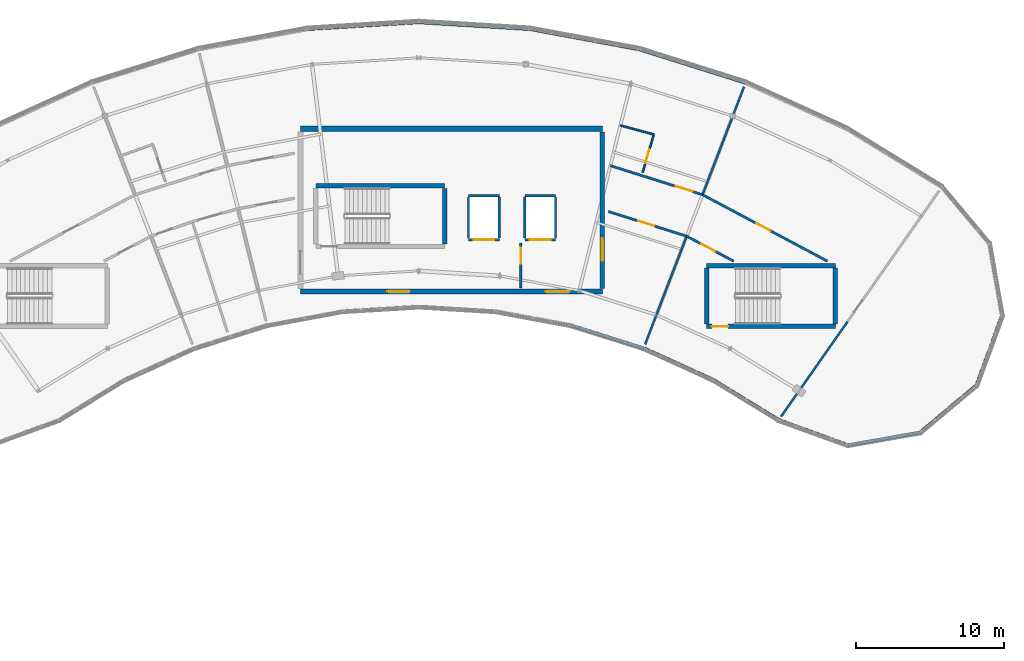
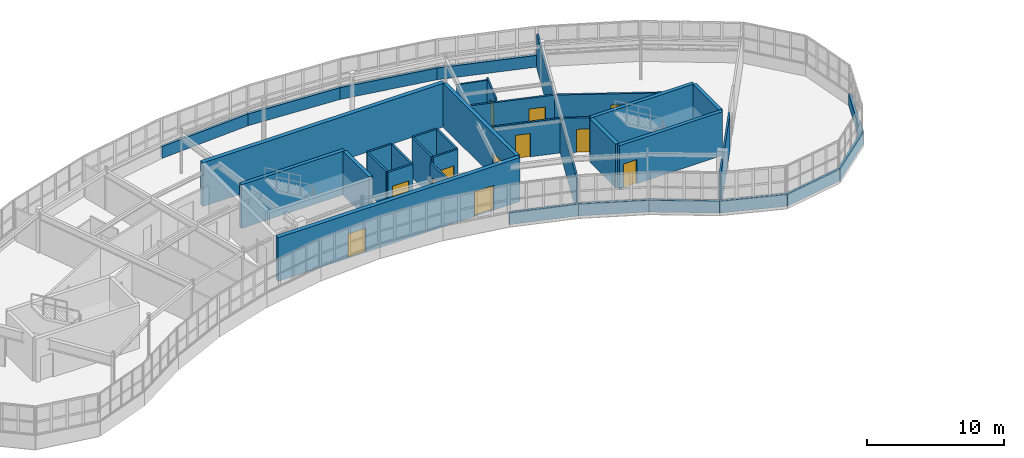
# One storey, part 55 of 65: 38 walls, 12 doors, 12 openings.
"""IFC4 building model written with IfcOpenShell, lengths in metres."""

import ifcopenshell
import ifcopenshell.guid

model = None  # the IFC model being written
_history = None  # IfcOwnerHistory: only IFC2X3 demands one
_inside = {}  # id of a spatial element -> (the spatial element, [elements in it])
_under = {}  # id of a project, library or spatial element -> (it, [spatial elements below it])
_declared = {}  # id of a project -> (the project, [libraries it declares])
_typed = {}  # id of a type object -> (the type object, [elements of that type])
_made_of = {}  # id of a material, layer set ... -> (it, [elements and type objects made of it])


def new_model(schema):
    """Start an empty IFC model of exactly this schema.

    Asked for "IFC4X3", IfcOpenShell would pick the latest addendum, in which some entities
    have other attributes; the version numbers below select the first issue.
    IFC2X3 requires an IfcOwnerHistory on every rooted entity: one is made here for all.
    """
    global model, _history
    if schema == "IFC4X3":
        model = ifcopenshell.file(schema_version=(4, 3, 0, 0))
    else:
        model = ifcopenshell.file(schema=schema)
    _inside.clear()
    _under.clear()
    _declared.clear()
    _typed.clear()
    _made_of.clear()
    _history = None
    if model.schema == "IFC2X3":
        org = make("IfcOrganization", Name="unknown")
        user = make(
            "IfcPersonAndOrganization",
            ThePerson=make("IfcPerson", FamilyName="unknown"),
            TheOrganization=org,
        )
        app = make(
            "IfcApplication",
            ApplicationDeveloper=org,
            Version="unknown",
            ApplicationFullName="unknown",
            ApplicationIdentifier="unknown",
        )
        _history = make(
            "IfcOwnerHistory",
            OwningUser=user,
            OwningApplication=app,
            ChangeAction="ADDED",
            CreationDate=0,
        )
    return model


def make(cls, **values):
    """One entity of the class cls with the attributes given. An attribute that is None is left unset."""
    return model.create_entity(
        cls, **{name: value for name, value in values.items() if value is not None}
    )


def rooted(cls, **values):
    """An entity with a GlobalId (a new one), such as an element, a storey or a relation."""
    return make(cls, GlobalId=ifcopenshell.guid.new(), OwnerHistory=_history, **values)


def si_unit(unit_type, name, prefix=None):
    """IfcSIUnit, for example si_unit("LENGTHUNIT", "METRE", prefix="MILLI")."""
    return make("IfcSIUnit", UnitType=unit_type, Prefix=prefix, Name=name)


def assignment(units):
    """IfcUnitAssignment: the units of a project."""
    return None if units is None else make("IfcUnitAssignment", Units=units)


def point(xyz):
    """IfcCartesianPoint."""
    return None if xyz is None else make("IfcCartesianPoint", Coordinates=xyz)


def direction(xyz):
    """IfcDirection."""
    return None if xyz is None else make("IfcDirection", DirectionRatios=xyz)


def frame(location, z_axis=None, x_axis=None):
    """IfcAxis2Placement3D, a coordinate frame: its origin and axes. An axis left out is left unset."""
    return make(
        "IfcAxis2Placement3D",
        Location=point(location),
        Axis=direction(z_axis),
        RefDirection=direction(x_axis),
    )


def frame_2d(location, x_axis=None):
    """IfcAxis2Placement2D, a coordinate frame in the plane: its origin and x axis."""
    return make(
        "IfcAxis2Placement2D", Location=point(location), RefDirection=direction(x_axis)
    )


def origin():
    """The frame at (0, 0, 0) with its axes left unset."""
    return frame((0.0, 0.0, 0.0))


def place(relative_to, where):
    """IfcLocalPlacement: puts the frame where relative to a parent placement (None: the world)."""
    return make(
        "IfcLocalPlacement", PlacementRelTo=relative_to, RelativePlacement=where
    )


def context(
    kind, dimensions, precision=None, world=None, true_north=None, identifier=None
):
    """IfcGeometricRepresentationContext, for example the 3D "Model" context."""
    return make(
        "IfcGeometricRepresentationContext",
        ContextIdentifier=identifier,
        ContextType=kind,
        CoordinateSpaceDimension=dimensions,
        Precision=precision,
        WorldCoordinateSystem=world,
        TrueNorth=true_north,
    )


def subcontext(parent, identifier, kind, view, scale=None):
    """IfcGeometricRepresentationSubContext, for example "Body" below "Model"."""
    return make(
        "IfcGeometricRepresentationSubContext",
        ContextIdentifier=identifier,
        ContextType=kind,
        ParentContext=parent,
        TargetScale=scale,
        TargetView=view,
    )


def project(units=None, contexts=None):
    """IfcProject with its units and contexts."""
    return rooted(
        "IfcProject",
        Name="project",
        RepresentationContexts=contexts,
        UnitsInContext=assignment(units),
    )


def spatial(cls, under=None, at=None, **own):
    """A site, building, storey or space (cls), placed at a placement, below another one or the project."""
    s = rooted(cls, ObjectPlacement=at, **own)
    if under is not None:
        _under.setdefault(under.id(), (under, []))[1].append(s)
    return s


def profile(cls, at=None, kind="AREA", **sizes):
    """A parametric profile (cls). Its sizes go by their IFC names, for example OverallWidth=200.0."""
    return make(cls, ProfileType=kind, Position=at, **sizes)


def rectangle(**sizes):
    """IfcRectangleProfileDef."""
    return profile("IfcRectangleProfileDef", **sizes)


def extrude(swept, where, along, depth):
    """IfcExtrudedAreaSolid: the profile swept, set in the frame where, extruded along a direction by depth."""
    return make(
        "IfcExtrudedAreaSolid",
        SweptArea=swept,
        Position=where,
        ExtrudedDirection=direction(along),
        Depth=depth,
    )


def shape(context_of_items, identifier, shape_type, items):
    """IfcShapeRepresentation: the items that make up one representation, for example the "Body"."""
    return make(
        "IfcShapeRepresentation",
        ContextOfItems=context_of_items,
        RepresentationIdentifier=identifier,
        RepresentationType=shape_type,
        Items=items,
    )


def material(Name=None, Category=None):
    """IfcMaterial."""
    return make("IfcMaterial", Name=Name, Category=Category)


def layer(
    of_material, thickness, ventilated=None, Name=None, Category=None, Priority=None
):
    """IfcMaterialLayer: one layer of a wall or slab, of a material (None: an air gap)."""
    return make(
        "IfcMaterialLayer",
        Material=of_material,
        LayerThickness=thickness,
        IsVentilated=ventilated,
        Name=Name,
        Category=Category,
        Priority=Priority,
    )


def layer_set(layers, Name=None):
    """IfcMaterialLayerSet."""
    return make("IfcMaterialLayerSet", MaterialLayers=layers, LayerSetName=Name)


def made_of(thing, what):
    """Note that an element or type object is made of a material, layer set ...; save() writes the relation."""
    if what is not None:
        _made_of.setdefault(what.id(), (what, []))[1].append(thing)
    return thing


def type_object(cls, material=None, **own):
    """A type object (cls), such as IfcWallType, which elements share."""
    return made_of(rooted(cls, **own), material)


def element(
    cls,
    number,
    at=None,
    inside=None,
    cuts=None,
    type_object=None,
    material=None,
    context=None,
    identifier="Body",
    shape_type=None,
    held_by="IfcProductDefinitionShape",
    body=None,
    shapes=None,
    **own,
):
    """One element of the class cls, such as IfcWall. Its Tag is "e" and its number.

    at: its placement. inside: the storey or other place that contains it. cuts: it is an
    opening in that element (IfcRelVoidsElement). A single representation is given by context,
    identifier, shape_type and body (its items); several are given by shapes. held_by: the class
    of the entity that holds the representations. save() writes the other relations.
    """
    e = rooted(cls, Tag="e%d" % number, ObjectPlacement=at, **own)
    if body is not None:
        shapes = [shape(context, identifier, shape_type, body)]
    if shapes is not None:
        e.Representation = make(held_by, Representations=shapes)
    if inside is not None:
        _inside.setdefault(inside.id(), (inside, []))[1].append(e)
    if cuts is not None:
        rooted(
            "IfcRelVoidsElement", RelatingBuildingElement=cuts, RelatedOpeningElement=e
        )
    if type_object is not None:
        _typed.setdefault(type_object.id(), (type_object, []))[1].append(e)
    return made_of(e, material)


def fill(opening, filler):
    """IfcRelFillsElement: the door or window that sits in an opening."""
    return rooted(
        "IfcRelFillsElement",
        RelatingOpeningElement=opening,
        RelatedBuildingElement=filler,
    )


def aggregate(whole, parts):
    """IfcRelAggregates: a whole, such as a stair, and the parts it consists of."""
    return rooted("IfcRelAggregates", RelatingObject=whole, RelatedObjects=parts)


def save(model, path):
    """Write the relations noted so far, then the file.

    IfcRelAggregates (storeys below a building ...), IfcRelContainedInSpatialStructure (elements
    in a storey), IfcRelDefinesByType, IfcRelAssociatesMaterial and IfcRelDeclares: one each for
    every whole, place, type object, material and project.
    """
    for whole, parts in _under.values():
        aggregate(whole, parts)
    for where, things in _inside.values():
        rooted(
            "IfcRelContainedInSpatialStructure",
            RelatedElements=things,
            RelatingStructure=where,
        )
    for kind, things in _typed.values():
        rooted("IfcRelDefinesByType", RelatedObjects=things, RelatingType=kind)
    for what, things in _made_of.values():
        rooted("IfcRelAssociatesMaterial", RelatedObjects=things, RelatingMaterial=what)
    for by, libraries in _declared.values():
        rooted("IfcRelDeclares", RelatingContext=by, RelatedDefinitions=libraries)
    model.write(path)


model = new_model("IFC4")

# Units and contexts
model_context = context("Model", 3, precision=1e-05, world=origin(), true_north=direction((0.0, 1.0)))
body_context = subcontext(model_context, "Body", "Model", "MODEL_VIEW")
ifc_project = project(units=[si_unit("LENGTHUNIT", "METRE"), si_unit("AREAUNIT", "SQUARE_METRE"), si_unit("VOLUMEUNIT", "CUBIC_METRE"), si_unit("PLANEANGLEUNIT", "RADIAN"), si_unit("MASSUNIT", "GRAM", prefix="KILO")], contexts=[model_context])

# Site, building, storey
site_placement = place(None, origin())
site = spatial("IfcSite", under=ifc_project, at=site_placement, CompositionType="ELEMENT")
building_placement = place(site_placement, origin())
building = spatial("IfcBuilding", under=site, at=building_placement, Name="Tarnwether General Hospital", CompositionType="ELEMENT")
storey_placement = place(building_placement, frame((0.0, 0.0, 22.199951171875)))
storey = spatial("IfcBuildingStorey", under=building, at=storey_placement, Name="L05", CompositionType="ELEMENT", Elevation=22.199951171875)

# Walls
ifc_material_1 = material(Name="Streamlined white enamelled aluminium", Category="aluminium")
ifc_layer_1 = layer(ifc_material_1, 0.219970703125)
ifc_layer_set_1 = layer_set([ifc_layer_1], Name="Streamlined white enamelled aluminium")
wall_type_1 = type_object("IfcWallType", Name="WL-EX220", PredefinedType="STANDARD", material=ifc_layer_set_1)
wall_1_placement = place(storey_placement, frame((107.195068359375, 102.583984375, 0.0), z_axis=(0.0, 0.0, 1.0), x_axis=(-0.953706582316, 0.300738681994, 0.0)))
element("IfcWall", 1, at=wall_1_placement, inside=storey, type_object=wall_type_1, Name="Ward NW Streamlined White Spandrel EW-L05-0077", PredefinedType="STANDARD", context=body_context, shape_type="SweptSolid", body=[
    extrude(rectangle(XDim=5.177734375, YDim=0.219970703125, at=frame_2d((2.5888671875, 0.0))), origin(), (0.0, 0.0, 1.0), 1.050048828125),
])
for number, where, z_axis, x_axis, name in (
    (2, (111.906005859375, 100.43701171875, 0.0), (0.0, 0.0, 1.0), (-0.909955822384, 0.414705198074, 0.0), "Ward NW Streamlined White Spandrel EW-L05-0078"),
    (3, (116.320068359375, 97.73193359375, 0.0), (0.0, 0.0, 1.0), (-0.852628362135, 0.522517823698, 0.0), "Ward NW Streamlined White Spandrel EW-L05-0079"),
):
    element("IfcWall", number, at=place(storey_placement, frame(where, z_axis=z_axis, x_axis=x_axis)), inside=storey, type_object=wall_type_1, Name=name, PredefinedType="STANDARD", context=body_context, shape_type="SweptSolid", body=[
        extrude(rectangle(XDim=5.177001953125, YDim=0.219970703125, at=frame_2d((2.58837890625, 0.0))), origin(), (0.0, 0.0, 1.0), 1.050048828125),
    ])
wall_2_placement = place(storey_placement, frame((120.989013671875, 96.031982421875, 0.0), z_axis=(0.0, 0.0, 1.0), x_axis=(-0.939654190044, 0.34212571247, 0.0)))
element("IfcWall", 4, at=wall_2_placement, inside=storey, type_object=wall_type_1, Name="Ward NW Streamlined White Spandrel EW-L05-0080", PredefinedType="STANDARD", context=body_context, shape_type="SweptSolid", body=[
    extrude(rectangle(XDim=4.96875, YDim=0.219970703125, at=frame_2d((2.484375, 0.0))), origin(), (0.0, 0.0, 1.0), 1.050048828125),
])
wall_3_placement = place(storey_placement, frame((125.883056640625, 96.89501953125, 0.0), z_axis=(0.0, 0.0, 1.0), x_axis=(-0.984804817938, -0.173664822479, 0.0)))
element("IfcWall", 5, at=wall_3_placement, inside=storey, type_object=wall_type_1, Name="Ward NW Streamlined White Spandrel EW-L05-0081", PredefinedType="STANDARD", context=body_context, shape_type="SweptSolid", body=[
    extrude(rectangle(XDim=4.969482421875, YDim=0.219970703125, at=frame_2d((2.48486328125, 0.0))), origin(), (0.0, 0.0, 1.0), 1.050048828125),
])
wall_4_placement = place(storey_placement, frame((129.68994140625, 100.090087890625, 0.0), z_axis=(0.0, 0.0, 1.0), x_axis=(-0.765973821879, -0.642871763415, 0.0)))
element("IfcWall", 6, at=wall_4_placement, inside=storey, type_object=wall_type_1, Name="Ward NW Streamlined White Spandrel EW-L05-0082", PredefinedType="STANDARD", context=body_context, shape_type="SweptSolid", body=[
    extrude(rectangle(XDim=4.969970703125, YDim=0.219970703125, at=frame_2d((2.48486328125, 0.0))), origin(), (0.0, 0.0, 1.0), 1.050048828125),
])
wall_5_placement = place(storey_placement, frame((131.388916015625, 104.759033203125, 0.0), z_axis=(0.0, 0.0, 1.0), x_axis=(-0.341952160632, -0.939717361678, 0.0)))
element("IfcWall", 7, at=wall_5_placement, inside=storey, type_object=wall_type_1, Name="Ward NW Streamlined White Spandrel EW-L05-0083", PredefinedType="STANDARD", context=body_context, shape_type="SweptSolid", body=[
    extrude(rectangle(XDim=4.968505859375, YDim=0.219970703125, at=frame_2d((2.484375, 0.0))), origin(), (0.0, 0.0, 1.0), 1.050048828125),
])
wall_6_placement = place(storey_placement, frame((106.902099609375, 122.77001953125, 0.0), z_axis=(0.0, 0.0, 1.0), x_axis=(0.953740021466, -0.300632618747, 0.0)))
element("IfcWall", 8, at=wall_6_placement, inside=storey, type_object=wall_type_1, Name="Ward NW Streamlined White Spandrel EW-L05-0088", PredefinedType="STANDARD", context=body_context, shape_type="SweptSolid", body=[
    extrude(rectangle(XDim=7.520751953125, YDim=0.219970703125, at=frame_2d((3.76025390625, 0.0))), origin(), (0.0, 0.0, 1.0), 1.050048828125),
])
for number, where, z_axis, x_axis, name in (
    (9, (99.507080078125, 124.14111328125, 0.0), (0.0, 0.0, 1.0), (0.983242805192, -0.18230081195, 0.0), "Ward NW Streamlined White Spandrel EW-L05-0089"),
    (10, (92.0, 124.60009765625, 0.0), (0.0, 0.0, 1.0), (0.99813616181, -0.061026244242, 0.0), "Ward NW Streamlined White Spandrel EW-L05-0090"),
    (11, (84.492919921875, 124.14111328125, 0.0), (0.0, 0.0, 1.0), (0.99813616181, 0.061026244242, 0.0), "Ward NW Streamlined White Spandrel EW-L05-0091"),
):
    element("IfcWall", number, at=place(storey_placement, frame(where, z_axis=z_axis, x_axis=x_axis)), inside=storey, type_object=wall_type_1, Name=name, PredefinedType="STANDARD", context=body_context, shape_type="SweptSolid", body=[
        extrude(rectangle(XDim=7.52099609375, YDim=0.219970703125, at=frame_2d((3.760498046875, 0.0))), origin(), (0.0, 0.0, 1.0), 1.050048828125),
    ])

# Wall, opening, door
ifc_material_2 = material(Name="Gypsum plasterboard")
ifc_layer_2 = layer(ifc_material_2, 0.1201171875)
ifc_layer_set_2 = layer_set([ifc_layer_2], Name="Gypsum plasterboard")
wall_type_2 = type_object("IfcWallType", Name="WL-PT120", PredefinedType="PARTITIONING", material=ifc_layer_set_2)
wall_7_placement = place(storey_placement, frame((107.126953125, 114.462890625, 0.0), z_axis=(0.0, 0.0, 1.0), x_axis=(0.281962578993, 0.959425403066, 0.0)))
wall_7 = element("IfcWall", 12, at=wall_7_placement, inside=storey, type_object=wall_type_2, Name="Interior Partition PT-L05-0439", PredefinedType="PARTITIONING", context=body_context, shape_type="SweptSolid", body=[
    extrude(rectangle(XDim=2.659912109375, YDim=0.1201171875, at=frame_2d((1.330078125, 0.0))), origin(), (0.0, 0.0, 1.0), 3.2890625),
])
opening_1_placement = place(wall_7_placement, frame((0.64990234375, 0.0, 0.0)))
opening_1 = element("IfcOpeningElement", 13, at=opening_1_placement, cuts=wall_7, Name="Opening D-10", PredefinedType="OPENING", context=body_context, shape_type="SweptSolid", body=[
    extrude(rectangle(XDim=0.9599609375, YDim=2.06005859375, at=frame_2d((0.47998046875, 1.030029296875))), frame((0.0, 0.070068359375, 0.0), z_axis=(0.0, -1.0, 0.0), x_axis=(1.0, 0.0, 0.0)), (0.0, 0.0, 1.0), 0.14013671875),
])
ifc_material_3 = material(Name="Anodised aluminium", Category="aluminium")
door_type_1 = type_object("IfcDoorType", Name="DR-IN10", OperationType="NOTDEFINED", PredefinedType="DOOR", material=ifc_material_3)
door_1_placement = place(opening_1_placement, origin())
door_1 = element("IfcDoor", 14, at=door_1_placement, inside=storey, type_object=door_type_1, Name="Interior Door DR-L05-0244", OperationType="SINGLE_SWING_RIGHT", OverallHeight=2.06005859375, OverallWidth=0.9599609375, PredefinedType="DOOR", context=body_context, shape_type="SweptSolid", body=[
    extrude(rectangle(XDim=0.9599609375, YDim=2.06005859375, at=frame_2d((0.47998046875, 1.030029296875))), frame((0.0, 0.02490234375, 0.0), z_axis=(0.0, -1.0, 0.0), x_axis=(1.0, 0.0, 0.0)), (0.0, 0.0, 1.0), 0.050048828125),
])
fill(opening_1, door_1)

# Walls
wall_8_placement = place(storey_placement, frame((105.6201171875, 117.6279296875, 0.0), z_axis=(0.0, 0.0, 1.0), x_axis=(0.965030735715, -0.262136756532, 0.0)))
element("IfcWall", 15, at=wall_8_placement, inside=storey, type_object=wall_type_2, Name="Interior Partition PT-L05-0440", PredefinedType="PARTITIONING", context=body_context, shape_type="SweptSolid", body=[
    extrude(rectangle(XDim=2.338623046875, YDim=0.1201171875, at=frame_2d((1.16943359375, 0.0))), origin(), (0.0, 0.0, 1.0), 3.0849609375),
])
ifc_material_4 = material(Name="Gypsum plasterboard")
ifc_layer_3 = layer(ifc_material_4, 0.139892578125)
ifc_layer_set_3 = layer_set([ifc_layer_3], Name="Gypsum plasterboard")
wall_type_3 = type_object("IfcWallType", Name="WL-PT140", PredefinedType="PARTITIONING", material=ifc_layer_set_3)
wall_9_placement = place(storey_placement, frame((111.173095703125, 112.947021484375, 0.0), z_axis=(0.0, 0.0, 1.0), x_axis=(0.358342954102, 0.933590020965, 0.0)))
element("IfcWall", 16, at=wall_9_placement, inside=storey, type_object=wall_type_3, Name="Interior Partition PT-L05-0442", PredefinedType="PARTITIONING", context=body_context, shape_type="SweptSolid", body=[
    extrude(rectangle(XDim=7.8193359375, YDim=0.139892578125, at=frame_2d((3.90966796875, 0.0))), origin(), (0.0, 0.0, 1.0), 3.088134765625),
])
wall_10_placement = place(storey_placement, frame((110.097900390625, 110.14599609375, 0.0), z_axis=(0.0, 0.0, 1.0), x_axis=(-0.358410014332, -0.933564278251, 0.0)))
element("IfcWall", 17, at=wall_10_placement, inside=storey, type_object=wall_type_3, Name="Interior Partition PT-L05-0444", PredefinedType="PARTITIONING", context=body_context, shape_type="SweptSolid", body=[
    extrude(rectangle(XDim=7.820556640625, YDim=0.139892578125, at=frame_2d((3.91015625, 0.0))), origin(), (0.0, 0.0, 1.0), 3.088134765625),
])
wall_11_placement = place(storey_placement, frame((120.966064453125, 104.366943359375, 0.0), z_axis=(0.0, 0.0, 1.0), x_axis=(-0.573623659169, -0.819118976487, 0.0)))
element("IfcWall", 18, at=wall_11_placement, inside=storey, type_object=wall_type_3, Name="Interior Partition PT-L05-0448", PredefinedType="PARTITIONING", context=body_context, shape_type="SweptSolid", body=[
    extrude(rectangle(XDim=7.820556640625, YDim=0.139892578125, at=frame_2d((3.91015625, 0.0))), origin(), (0.0, 0.0, 1.0), 3.2451171875),
])

# Wall, opening, door
ifc_material_5 = material(Name="Gypsum plasterboard")
ifc_layer_4 = layer(ifc_material_5, 0.159912109375)
ifc_layer_set_4 = layer_set([ifc_layer_4], Name="Gypsum plasterboard")
wall_type_4 = type_object("IfcWallType", Name="WL-PT160", PredefinedType="PARTITIONING", material=ifc_layer_set_4)
wall_12_placement = place(storey_placement, frame((95.360107421875, 109.909912109375, 0.0), z_axis=(0.0, 0.0, 1.0), x_axis=(1.0, 0.0, 0.0)))
wall_12 = element("IfcWall", 19, at=wall_12_placement, inside=storey, type_object=wall_type_4, Name="Lift L-01 Shaft Wall LSH-L-01-L05-S", PredefinedType="PARTITIONING", context=body_context, shape_type="SweptSolid", body=[
    extrude(rectangle(XDim=2.079833984375, YDim=0.159912109375, at=frame_2d((1.0400390625, 0.0))), origin(), (0.0, 0.0, 1.0), 3.56005859375),
])
opening_2_placement = place(wall_12_placement, frame((0.340087890625, 0.0, 0.0)))
opening_2 = element("IfcOpeningElement", 20, at=opening_2_placement, cuts=wall_12, Name="Opening LD-01", PredefinedType="OPENING", context=body_context, shape_type="SweptSolid", body=[
    extrude(rectangle(XDim=1.39990234375, YDim=2.199951171875, at=frame_2d((0.699951171875, 1.10009765625))), frame((0.0, 0.08984375, 0.0), z_axis=(0.0, -1.0, 0.0), x_axis=(1.0, 0.0, 0.0)), (0.0, 0.0, 1.0), 0.179931640625),
])
ifc_material_6 = material(Name="Anodised aluminium", Category="aluminium")
door_type_2 = type_object("IfcDoorType", Name="DR-LD01", OperationType="NOTDEFINED", PredefinedType="DOOR", material=ifc_material_6)
door_2_placement = place(opening_2_placement, origin())
door_2 = element("IfcDoor", 21, at=door_2_placement, inside=storey, type_object=door_type_2, Name="Lift L-01 Sliding Landing Door L05", OperationType="SLIDING_TO_LEFT", OverallHeight=2.199951171875, OverallWidth=1.39990234375, PredefinedType="DOOR", context=body_context, shape_type="SweptSolid", body=[
    extrude(rectangle(XDim=1.39990234375, YDim=2.199951171875, at=frame_2d((0.699951171875, 1.10009765625))), frame((0.0, 0.02490234375, 0.0), z_axis=(0.0, -1.0, 0.0), x_axis=(1.0, 0.0, 0.0)), (0.0, 0.0, 1.0), 0.050048828125),
])
fill(opening_2, door_2)

# Walls
wall_13_placement = place(storey_placement, frame((97.43994140625, 112.889892578125, 0.0), z_axis=(0.0, 0.0, 1.0), x_axis=(-1.0, 0.0, 0.0)))
element("IfcWall", 22, at=wall_13_placement, inside=storey, type_object=wall_type_4, Name="Lift L-01 Shaft Wall LSH-L-01-L05-N", PredefinedType="PARTITIONING", context=body_context, shape_type="SweptSolid", body=[
    extrude(rectangle(XDim=2.079833984375, YDim=0.159912109375, at=frame_2d((1.0400390625, 0.0))), origin(), (0.0, 0.0, 1.0), 3.56005859375),
])
for number, where, z_axis, x_axis, name in (
    (23, (95.360107421875, 112.7900390625, 0.0), (0.0, 0.0, 1.0), (0.0, -1.0, 0.0), "Lift L-01 Shaft Wall LSH-L-01-L05-W"),
    (24, (97.43994140625, 110.010009765625, 0.0), (0.0, 0.0, 1.0), (0.0, 1.0, 0.0), "Lift L-01 Shaft Wall LSH-L-01-L05-E"),
):
    element("IfcWall", number, at=place(storey_placement, frame(where, z_axis=z_axis, x_axis=x_axis)), inside=storey, type_object=wall_type_4, Name=name, PredefinedType="PARTITIONING", context=body_context, shape_type="SweptSolid", body=[
        extrude(rectangle(XDim=2.780029296875, YDim=0.159912109375, at=frame_2d((1.39013671875, 0.0))), origin(), (0.0, 0.0, 1.0), 3.56005859375),
    ])

# Wall, opening, door
wall_14_placement = place(storey_placement, frame((99.159912109375, 109.909912109375, 0.0), z_axis=(0.0, 0.0, 1.0), x_axis=(1.0, 0.0, 0.0)))
wall_14 = element("IfcWall", 25, at=wall_14_placement, inside=storey, type_object=wall_type_4, Name="Lift L-03 Shaft Wall LSH-L-03-L05-S", PredefinedType="PARTITIONING", context=body_context, shape_type="SweptSolid", body=[
    extrude(rectangle(XDim=2.080078125, YDim=0.159912109375, at=frame_2d((1.0400390625, 0.0))), origin(), (0.0, 0.0, 1.0), 3.56005859375),
])
opening_3_placement = place(wall_14_placement, frame((0.340087890625, 0.0, 0.0)))
opening_3 = element("IfcOpeningElement", 26, at=opening_3_placement, cuts=wall_14, Name="Opening LD-01", PredefinedType="OPENING", context=body_context, shape_type="SweptSolid", body=[
    extrude(rectangle(XDim=1.39990234375, YDim=2.199951171875, at=frame_2d((0.699951171875, 1.10009765625))), frame((0.0, 0.08984375, 0.0), z_axis=(0.0, -1.0, 0.0), x_axis=(1.0, 0.0, 0.0)), (0.0, 0.0, 1.0), 0.179931640625),
])
door_3_placement = place(opening_3_placement, origin())
door_3 = element("IfcDoor", 27, at=door_3_placement, inside=storey, type_object=door_type_2, Name="Lift L-03 Sliding Landing Door L05", OperationType="SLIDING_TO_LEFT", OverallHeight=2.199951171875, OverallWidth=1.39990234375, PredefinedType="DOOR", context=body_context, shape_type="SweptSolid", body=[
    extrude(rectangle(XDim=1.39990234375, YDim=2.199951171875, at=frame_2d((0.699951171875, 1.10009765625))), frame((0.0, 0.02490234375, 0.0), z_axis=(0.0, -1.0, 0.0), x_axis=(1.0, 0.0, 0.0)), (0.0, 0.0, 1.0), 0.050048828125),
])
fill(opening_3, door_3)

# Walls
wall_15_placement = place(storey_placement, frame((101.239990234375, 112.889892578125, 0.0), z_axis=(0.0, 0.0, 1.0), x_axis=(-1.0, 0.0, 0.0)))
element("IfcWall", 28, at=wall_15_placement, inside=storey, type_object=wall_type_4, Name="Lift L-03 Shaft Wall LSH-L-03-L05-N", PredefinedType="PARTITIONING", context=body_context, shape_type="SweptSolid", body=[
    extrude(rectangle(XDim=2.080078125, YDim=0.159912109375, at=frame_2d((1.0400390625, 0.0))), origin(), (0.0, 0.0, 1.0), 3.56005859375),
])
for number, where, z_axis, x_axis, name in (
    (29, (99.159912109375, 112.7900390625, 0.0), (0.0, 0.0, 1.0), (0.0, -1.0, 0.0), "Lift L-03 Shaft Wall LSH-L-03-L05-W"),
    (30, (101.239990234375, 110.010009765625, 0.0), (0.0, 0.0, 1.0), (0.0, 1.0, 0.0), "Lift L-03 Shaft Wall LSH-L-03-L05-E"),
):
    element("IfcWall", number, at=place(storey_placement, frame(where, z_axis=z_axis, x_axis=x_axis)), inside=storey, type_object=wall_type_4, Name=name, PredefinedType="PARTITIONING", context=body_context, shape_type="SweptSolid", body=[
        extrude(rectangle(XDim=2.780029296875, YDim=0.159912109375, at=frame_2d((1.39013671875, 0.0))), origin(), (0.0, 0.0, 1.0), 3.56005859375),
    ])

# Wall, opening, door
wall_16_placement = place(storey_placement, frame((98.89990234375, 106.64990234375, 0.0), z_axis=(0.0, 0.0, 1.0), x_axis=(0.0, 1.0, 0.0)))
wall_16 = element("IfcWall", 31, at=wall_16_placement, inside=storey, type_object=wall_type_4, Name="Firefighting Lobby Divider K1 L05", PredefinedType="PARTITIONING", context=body_context, shape_type="SweptSolid", body=[
    extrude(rectangle(XDim=3.050048828125, YDim=0.159912109375, at=frame_2d((1.52490234375, 0.0))), origin(), (0.0, 0.0, 1.0), 3.295166015625),
])
opening_4_placement = place(wall_16_placement, frame((1.6298828125, 0.0, 0.0)))
opening_4 = element("IfcOpeningElement", 32, at=opening_4_placement, cuts=wall_16, Name="Opening FD-06", PredefinedType="OPENING", context=body_context, shape_type="SweptSolid", body=[
    extrude(rectangle(XDim=1.10009765625, YDim=2.14990234375, at=frame_2d((0.550048828125, 1.074951171875))), frame((0.0, 0.08984375, 0.0), z_axis=(0.0, -1.0, 0.0), x_axis=(1.0, 0.0, 0.0)), (0.0, 0.0, 1.0), 0.179931640625),
])
ifc_material_7 = material(Name="Anodised aluminium", Category="aluminium")
door_type_3 = type_object("IfcDoorType", Name="DR-FD06", OperationType="NOTDEFINED", PredefinedType="DOOR", material=ifc_material_7)
door_4_placement = place(opening_4_placement, origin())
door_4 = element("IfcDoor", 33, at=door_4_placement, inside=storey, type_object=door_type_3, Name="Core K1 Inter-Lobby Smoke Door L05", OperationType="SINGLE_SWING_RIGHT", OverallHeight=2.14990234375, OverallWidth=1.10009765625, PredefinedType="DOOR", context=body_context, shape_type="SweptSolid", body=[
    extrude(rectangle(XDim=1.10009765625, YDim=2.14990234375, at=frame_2d((0.550048828125, 1.074951171875))), frame((0.0, 0.02490234375, 0.0), z_axis=(0.0, -1.0, 0.0), x_axis=(1.0, 0.0, 0.0)), (0.0, 0.0, 1.0), 0.050048828125),
])
fill(opening_4, door_4)

wall_17_placement = place(storey_placement, frame((104.943115234375, 114.910888671875, 0.0), z_axis=(0.0, 0.0, 1.0), x_axis=(0.953736183483, -0.30064479426, 0.0)))
wall_17 = element("IfcWall", 34, at=wall_17_placement, inside=storey, type_object=wall_type_4, Name="Interior Partition PT-L05-0441", PredefinedType="PARTITIONING", context=body_context, shape_type="SweptSolid", body=[
    extrude(rectangle(XDim=6.5322265625, YDim=0.159912109375, at=frame_2d((3.26611328125, 0.0))), origin(), (0.0, 0.0, 1.0), 3.0849609375),
])
opening_5_placement = place(wall_17_placement, frame((4.632080078125, 0.0, 0.0)))
opening_5 = element("IfcOpeningElement", 35, at=opening_5_placement, cuts=wall_17, Name="Opening D-05", PredefinedType="OPENING", context=body_context, shape_type="SweptSolid", body=[
    extrude(rectangle(XDim=1.199951171875, YDim=2.1201171875, at=frame_2d((0.60009765625, 1.06005859375))), frame((0.0, 0.08984375, 0.0), z_axis=(0.0, -1.0, 0.0), x_axis=(1.0, 0.0, 0.0)), (0.0, 0.0, 1.0), 0.179931640625),
])
ifc_material_8 = material(Name="Anodised aluminium", Category="aluminium")
door_type_4 = type_object("IfcDoorType", Name="DR-IN05", OperationType="NOTDEFINED", PredefinedType="DOOR", material=ifc_material_8)
door_5_placement = place(opening_5_placement, origin())
door_5 = element("IfcDoor", 36, at=door_5_placement, inside=storey, type_object=door_type_4, Name="Interior Door DR-L05-0245", OperationType="SINGLE_SWING_LEFT", OverallHeight=2.1201171875, OverallWidth=1.199951171875, PredefinedType="DOOR", context=body_context, shape_type="SweptSolid", body=[
    extrude(rectangle(XDim=1.199951171875, YDim=2.1201171875, at=frame_2d((0.60009765625, 1.06005859375))), frame((0.0, 0.02490234375, 0.0), z_axis=(0.0, -1.0, 0.0), x_axis=(1.0, 0.0, 0.0)), (0.0, 0.0, 1.0), 0.050048828125),
])
fill(opening_5, door_5)

wall_18_placement = place(storey_placement, frame((104.81005859375, 111.81298828125, 0.0), z_axis=(0.0, 0.0, 1.0), x_axis=(0.953730291319, -0.300663485347, 0.0)))
wall_18 = element("IfcWall", 37, at=wall_18_placement, inside=storey, type_object=wall_type_4, Name="Interior Partition PT-L05-0443", PredefinedType="PARTITIONING", context=body_context, shape_type="SweptSolid", body=[
    extrude(rectangle(XDim=5.54443359375, YDim=0.159912109375, at=frame_2d((2.772216796875, 0.0))), origin(), (0.0, 0.0, 1.0), 3.088134765625),
])
opening_6_placement = place(wall_18_placement, frame((2.1220703125, 0.0, 0.0)))
opening_6 = element("IfcOpeningElement", 38, at=opening_6_placement, cuts=wall_18, Name="Opening D-07", PredefinedType="OPENING", context=body_context, shape_type="SweptSolid", body=[
    extrude(rectangle(XDim=1.1201171875, YDim=2.080078125, at=frame_2d((0.56005859375, 1.0400390625))), frame((0.0, 0.08984375, 0.0), z_axis=(0.0, -1.0, 0.0), x_axis=(1.0, 0.0, 0.0)), (0.0, 0.0, 1.0), 0.179931640625),
])
ifc_material_9 = material(Name="Anodised aluminium", Category="aluminium")
door_type_5 = type_object("IfcDoorType", Name="DR-IN07", OperationType="NOTDEFINED", PredefinedType="DOOR", material=ifc_material_9)
door_6_placement = place(opening_6_placement, origin())
door_6 = element("IfcDoor", 39, at=door_6_placement, inside=storey, type_object=door_type_5, Name="Interior Door DR-L05-0246", OperationType="SINGLE_SWING_RIGHT", OverallHeight=2.080078125, OverallWidth=1.1201171875, PredefinedType="DOOR", context=body_context, shape_type="SweptSolid", body=[
    extrude(rectangle(XDim=1.1201171875, YDim=2.080078125, at=frame_2d((0.56005859375, 1.0400390625))), frame((0.0, 0.02490234375, 0.0), z_axis=(0.0, -1.0, 0.0), x_axis=(1.0, 0.0, 0.0)), (0.0, 0.0, 1.0), 0.050048828125),
])
fill(opening_6, door_6)

wall_19_placement = place(storey_placement, frame((111.173095703125, 112.947021484375, 0.0), z_axis=(0.0, 0.0, 1.0), x_axis=(0.882925792416, -0.46951256116, 0.0)))
wall_19 = element("IfcWall", 40, at=wall_19_placement, inside=storey, type_object=wall_type_4, Name="Interior Partition PT-L05-0445", PredefinedType="PARTITIONING", context=body_context, shape_type="SweptSolid", body=[
    extrude(rectangle(XDim=9.556884765625, YDim=0.159912109375, at=frame_2d((4.7783203125, 0.0))), origin(), (0.0, 0.0, 1.0), 3.088134765625),
])
opening_7_placement = place(wall_19_placement, frame((4.12890625, 0.0, 0.0)))
opening_7 = element("IfcOpeningElement", 41, at=opening_7_placement, cuts=wall_19, Name="Opening D-08", PredefinedType="OPENING", context=body_context, shape_type="SweptSolid", body=[
    extrude(rectangle(XDim=1.06005859375, YDim=2.10009765625, at=frame_2d((0.530029296875, 1.050048828125))), frame((0.0, 0.08984375, 0.0), z_axis=(0.0, -1.0, 0.0), x_axis=(1.0, 0.0, 0.0)), (0.0, 0.0, 1.0), 0.179931640625),
])
ifc_material_10 = material(Name="Anodised aluminium", Category="aluminium")
door_type_6 = type_object("IfcDoorType", Name="DR-IN08", OperationType="NOTDEFINED", PredefinedType="DOOR", material=ifc_material_10)
door_7_placement = place(opening_7_placement, origin())
door_7 = element("IfcDoor", 42, at=door_7_placement, inside=storey, type_object=door_type_6, Name="Interior Door DR-L05-0247", OperationType="SINGLE_SWING_LEFT", OverallHeight=2.10009765625, OverallWidth=1.06005859375, PredefinedType="DOOR", context=body_context, shape_type="SweptSolid", body=[
    extrude(rectangle(XDim=1.06005859375, YDim=2.10009765625, at=frame_2d((0.530029296875, 1.050048828125))), frame((0.0, 0.02490234375, 0.0), z_axis=(0.0, -1.0, 0.0), x_axis=(1.0, 0.0, 0.0)), (0.0, 0.0, 1.0), 0.050048828125),
])
fill(opening_7, door_7)

wall_20_placement = place(storey_placement, frame((110.097900390625, 110.14599609375, 0.0), z_axis=(0.0, 0.0, 1.0), x_axis=(0.882958125757, -0.46945175275, 0.0)))
wall_20 = element("IfcWall", 43, at=wall_20_placement, inside=storey, type_object=wall_type_4, Name="Interior Partition PT-L05-0447", PredefinedType="PARTITIONING", context=body_context, shape_type="SweptSolid", body=[
    extrude(rectangle(XDim=3.591552734375, YDim=0.159912109375, at=frame_2d((1.7958984375, 0.0))), origin(), (0.0, 0.0, 1.0), 3.088134765625),
])
opening_8_placement = place(wall_20_placement, frame((1.14599609375, 0.0, 0.0)))
opening_8 = element("IfcOpeningElement", 44, at=opening_8_placement, cuts=wall_20, Name="Opening D-09", PredefinedType="OPENING", context=body_context, shape_type="SweptSolid", body=[
    extrude(rectangle(XDim=1.02001953125, YDim=2.080078125, at=frame_2d((0.510009765625, 1.0400390625))), frame((0.0, 0.08984375, 0.0), z_axis=(0.0, -1.0, 0.0), x_axis=(1.0, 0.0, 0.0)), (0.0, 0.0, 1.0), 0.179931640625),
])
ifc_material_11 = material(Name="Anodised aluminium", Category="aluminium")
door_type_7 = type_object("IfcDoorType", Name="DR-IN09", OperationType="NOTDEFINED", PredefinedType="DOOR", material=ifc_material_11)
door_8_placement = place(opening_8_placement, origin())
door_8 = element("IfcDoor", 45, at=door_8_placement, inside=storey, type_object=door_type_7, Name="Interior Door DR-L05-0248", OperationType="SINGLE_SWING_RIGHT", OverallHeight=2.080078125, OverallWidth=1.02001953125, PredefinedType="DOOR", context=body_context, shape_type="SweptSolid", body=[
    extrude(rectangle(XDim=1.02001953125, YDim=2.080078125, at=frame_2d((0.510009765625, 1.0400390625))), frame((0.0, 0.02490234375, 0.0), z_axis=(0.0, -1.0, 0.0), x_axis=(1.0, 0.0, 0.0)), (0.0, 0.0, 1.0), 0.050048828125),
])
fill(opening_8, door_8)

ifc_material_12 = material(Name="Concrete 50 MPa", Category="concrete")
ifc_layer_5 = layer(ifc_material_12, 0.300048828125)
ifc_layer_set_5 = layer_set([ifc_layer_5], Name="Concrete 50 MPa")
wall_type_5 = type_object("IfcWallType", Name="WL-SW300", PredefinedType="SHEAR", material=ifc_layer_set_5)
wall_21_placement = place(storey_placement, frame((104.39990234375, 117.199951171875, 0.0), z_axis=(0.0, 0.0, 1.0), x_axis=(0.0, -1.0, 0.0)))
wall_21 = element("IfcWall", 46, at=wall_21_placement, inside=storey, type_object=wall_type_5, Name="Core Shear Wall CWALL-K1-L05-E", PredefinedType="SHEAR", context=body_context, shape_type="SweptSolid", body=[
    extrude(rectangle(XDim=10.599853515625, YDim=0.300048828125, at=frame_2d((5.2998046875, 0.0))), origin(), (0.0, 0.0, 1.0), 3.900146484375),
])
opening_9_placement = place(wall_21_placement, frame((7.199951171875, 0.0, 0.0)))
opening_9 = element("IfcOpeningElement", 47, at=opening_9_placement, cuts=wall_21, Name="Opening FD-02", PredefinedType="OPENING", context=body_context, shape_type="SweptSolid", body=[
    extrude(rectangle(XDim=1.52001953125, YDim=2.159912109375, at=frame_2d((0.760009765625, 1.080078125))), frame((0.0, 0.16015625, 0.0), z_axis=(0.0, -1.0, 0.0), x_axis=(1.0, 0.0, 0.0)), (0.0, 0.0, 1.0), 0.320068359375),
])
ifc_material_13 = material(Name="Anodised aluminium", Category="aluminium")
door_type_8 = type_object("IfcDoorType", Name="DR-FD02", OperationType="NOTDEFINED", PredefinedType="DOOR", material=ifc_material_13)
door_9_placement = place(opening_9_placement, origin())
door_9 = element("IfcDoor", 48, at=door_9_placement, inside=storey, type_object=door_type_8, Name="Core K1 Ward Corridor Fire Door L05", OperationType="SINGLE_SWING_RIGHT", OverallHeight=2.159912109375, OverallWidth=1.52001953125, PredefinedType="DOOR", context=body_context, shape_type="SweptSolid", body=[
    extrude(rectangle(XDim=1.52001953125, YDim=2.159912109375, at=frame_2d((0.760009765625, 1.080078125))), frame((0.0, 0.02490234375, 0.0), z_axis=(0.0, -1.0, 0.0), x_axis=(1.0, 0.0, 0.0)), (0.0, 0.0, 1.0), 0.050048828125),
])
fill(opening_9, door_9)

# Walls
wall_22_placement = place(storey_placement, frame((93.75, 113.550048828125, 0.0), z_axis=(0.0, 0.0, 1.0), x_axis=(-1.0, 0.0, 0.0)))
element("IfcWall", 49, at=wall_22_placement, inside=storey, type_object=wall_type_5, Name="Stairwell Shear Wall STW-ST-01-L05-N", PredefinedType="SHEAR", context=body_context, shape_type="SweptSolid", body=[
    extrude(rectangle(XDim=8.699951171875, YDim=0.300048828125, at=frame_2d((4.35009765625, 0.0))), origin(), (0.0, 0.0, 1.0), 3.900146484375),
])
wall_23_placement = place(storey_placement, frame((93.75, 109.6201171875, 0.0), z_axis=(0.0, 0.0, 1.0), x_axis=(0.0, 1.0, 0.0)))
element("IfcWall", 50, at=wall_23_placement, inside=storey, type_object=wall_type_5, Name="Stairwell Shear Wall STW-ST-01-L05-F", PredefinedType="SHEAR", context=body_context, shape_type="SweptSolid", body=[
    extrude(rectangle(XDim=3.759765625, YDim=0.300048828125, at=frame_2d((1.8798828125, 0.0))), origin(), (0.0, 0.0, 1.0), 3.900146484375),
])

# Wall, opening, door
wall_24_placement = place(storey_placement, frame((111.449951171875, 104.050048828125, 0.0), z_axis=(0.0, 0.0, 1.0), x_axis=(1.0, 0.0, 0.0)))
wall_24 = element("IfcWall", 51, at=wall_24_placement, inside=storey, type_object=wall_type_5, Name="Stairwell Shear Wall STW-ST-08-L05-B", PredefinedType="SHEAR", context=body_context, shape_type="SweptSolid", body=[
    extrude(rectangle(XDim=8.699951171875, YDim=0.300048828125, at=frame_2d((4.35009765625, 0.0))), origin(), (0.0, 0.0, 1.0), 3.900146484375),
])
opening_10_placement = place(wall_24_placement, frame((0.35009765625, 0.0, 0.0)))
opening_10 = element("IfcOpeningElement", 52, at=opening_10_placement, cuts=wall_24, Name="Opening FD-06", PredefinedType="OPENING", context=body_context, shape_type="SweptSolid", body=[
    extrude(rectangle(XDim=1.10009765625, YDim=2.14990234375, at=frame_2d((0.550048828125, 1.074951171875))), frame((0.0, 0.16015625, 0.0), z_axis=(0.0, -1.0, 0.0), x_axis=(1.0, 0.0, 0.0)), (0.0, 0.0, 1.0), 0.320068359375),
])
door_10_placement = place(opening_10_placement, origin())
door_10 = element("IfcDoor", 53, at=door_10_placement, inside=storey, type_object=door_type_3, Name="Stairwell ST-08 Safe-Path Fire Door L05", OperationType="SINGLE_SWING_LEFT", OverallHeight=2.14990234375, OverallWidth=1.10009765625, PredefinedType="DOOR", context=body_context, shape_type="SweptSolid", body=[
    extrude(rectangle(XDim=1.10009765625, YDim=2.14990234375, at=frame_2d((0.550048828125, 1.074951171875))), frame((0.0, 0.02490234375, 0.0), z_axis=(0.0, -1.0, 0.0), x_axis=(1.0, 0.0, 0.0)), (0.0, 0.0, 1.0), 0.050048828125),
])
fill(opening_10, door_10)

# Walls
wall_25_placement = place(storey_placement, frame((120.14990234375, 108.14990234375, 0.0), z_axis=(0.0, 0.0, 1.0), x_axis=(-1.0, 0.0, 0.0)))
element("IfcWall", 54, at=wall_25_placement, inside=storey, type_object=wall_type_5, Name="Stairwell Shear Wall STW-ST-08-L05-N", PredefinedType="SHEAR", context=body_context, shape_type="SweptSolid", body=[
    extrude(rectangle(XDim=8.699951171875, YDim=0.300048828125, at=frame_2d((4.35009765625, 0.0))), origin(), (0.0, 0.0, 1.0), 3.900146484375),
])
for number, where, z_axis, x_axis, name in (
    (55, (111.449951171875, 104.219970703125, 0.0), (0.0, 0.0, 1.0), (0.0, 1.0, 0.0), "Stairwell Shear Wall STW-ST-08-L05-L"),
    (56, (120.14990234375, 104.219970703125, 0.0), (0.0, 0.0, 1.0), (0.0, 1.0, 0.0), "Stairwell Shear Wall STW-ST-08-L05-F"),
):
    element("IfcWall", number, at=place(storey_placement, frame(where, z_axis=z_axis, x_axis=x_axis)), inside=storey, type_object=wall_type_5, Name=name, PredefinedType="SHEAR", context=body_context, shape_type="SweptSolid", body=[
        extrude(rectangle(XDim=3.760009765625, YDim=0.300048828125, at=frame_2d((1.8798828125, 0.0))), origin(), (0.0, 0.0, 1.0), 3.900146484375),
    ])
ifc_material_14 = material(Name="Concrete 50 MPa", Category="concrete")
ifc_layer_6 = layer(ifc_material_14, 0.35009765625)
ifc_layer_set_6 = layer_set([ifc_layer_6], Name="Concrete 50 MPa")
wall_type_6 = type_object("IfcWallType", Name="WL-SW350", PredefinedType="SHEAR", material=ifc_layer_set_6)
wall_26_placement = place(storey_placement, frame((84.0, 117.39990234375, 0.0), z_axis=(0.0, 0.0, 1.0), x_axis=(1.0, 0.0, 0.0)))
element("IfcWall", 57, at=wall_26_placement, inside=storey, type_object=wall_type_6, Name="Core Shear Wall CWALL-K1-L05-N", PredefinedType="SHEAR", context=body_context, shape_type="SweptSolid", body=[
    extrude(rectangle(XDim=20.39990234375, YDim=0.35009765625, at=frame_2d((10.199951171875, 0.0))), origin(), (0.0, 0.0, 1.0), 3.900146484375),
])

# Wall, openings, doors
wall_27_placement = place(storey_placement, frame((104.39990234375, 106.39990234375, 0.0), z_axis=(0.0, 0.0, 1.0), x_axis=(-1.0, 0.0, 0.0)))
wall_27 = element("IfcWall", 58, at=wall_27_placement, inside=storey, type_object=wall_type_6, Name="Core Shear Wall CWALL-K1-L05-S", PredefinedType="SHEAR", context=body_context, shape_type="SweptSolid", body=[
    extrude(rectangle(XDim=20.39990234375, YDim=0.35009765625, at=frame_2d((10.199951171875, 0.0))), origin(), (0.0, 0.0, 1.0), 3.900146484375),
])
opening_11_placement = place(wall_27_placement, frame((2.199951171875, 0.0, 0.0)))
opening_11 = element("IfcOpeningElement", 59, at=opening_11_placement, cuts=wall_27, Name="Opening FD-01", PredefinedType="OPENING", context=body_context, shape_type="SweptSolid", body=[
    extrude(rectangle(XDim=1.639892578125, YDim=2.199951171875, at=frame_2d((0.81982421875, 1.10009765625))), frame((0.0, 0.18505859375, 0.0), z_axis=(0.0, -1.0, 0.0), x_axis=(1.0, 0.0, 0.0)), (0.0, 0.0, 1.0), 0.3701171875),
])
opening_12_placement = place(wall_27_placement, frame((13.0, 0.0, 0.0)))
opening_12 = element("IfcOpeningElement", 60, at=opening_12_placement, cuts=wall_27, Name="Opening FD-02", PredefinedType="OPENING", context=body_context, shape_type="SweptSolid", body=[
    extrude(rectangle(XDim=1.52001953125, YDim=2.159912109375, at=frame_2d((0.760009765625, 1.080078125))), frame((0.0, 0.18505859375, 0.0), z_axis=(0.0, -1.0, 0.0), x_axis=(1.0, 0.0, 0.0)), (0.0, 0.0, 1.0), 0.3701171875),
])
ifc_material_15 = material(Name="Anodised aluminium", Category="aluminium")
door_type_9 = type_object("IfcDoorType", Name="DR-FD01", OperationType="NOTDEFINED", PredefinedType="DOOR", material=ifc_material_15)
door_11_placement = place(opening_11_placement, origin())
door_11 = element("IfcDoor", 61, at=door_11_placement, inside=storey, type_object=door_type_9, Name="Core K1 Lobby Fire Door L05", OperationType="DOUBLE_DOOR_SINGLE_SWING", OverallHeight=2.199951171875, OverallWidth=1.639892578125, PredefinedType="DOOR", context=body_context, shape_type="SweptSolid", body=[
    extrude(rectangle(XDim=1.639892578125, YDim=2.199951171875, at=frame_2d((0.81982421875, 1.10009765625))), frame((0.0, 0.02490234375, 0.0), z_axis=(0.0, -1.0, 0.0), x_axis=(1.0, 0.0, 0.0)), (0.0, 0.0, 1.0), 0.050048828125),
])
fill(opening_11, door_11)
door_12_placement = place(opening_12_placement, origin())
door_12 = element("IfcDoor", 62, at=door_12_placement, inside=storey, type_object=door_type_8, Name="Core K1 Firefighting Lobby Door L05", OperationType="SINGLE_SWING_RIGHT", OverallHeight=2.159912109375, OverallWidth=1.52001953125, PredefinedType="DOOR", context=body_context, shape_type="SweptSolid", body=[
    extrude(rectangle(XDim=1.52001953125, YDim=2.159912109375, at=frame_2d((0.760009765625, 1.080078125))), frame((0.0, 0.02490234375, 0.0), z_axis=(0.0, -1.0, 0.0), x_axis=(1.0, 0.0, 0.0)), (0.0, 0.0, 1.0), 0.050048828125),
])
fill(opening_12, door_12)

save(model, "model.ifc")
